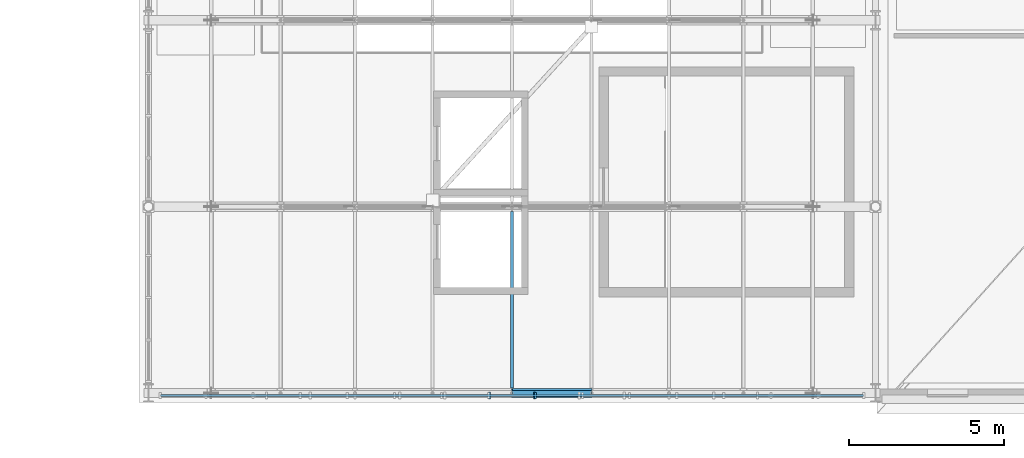
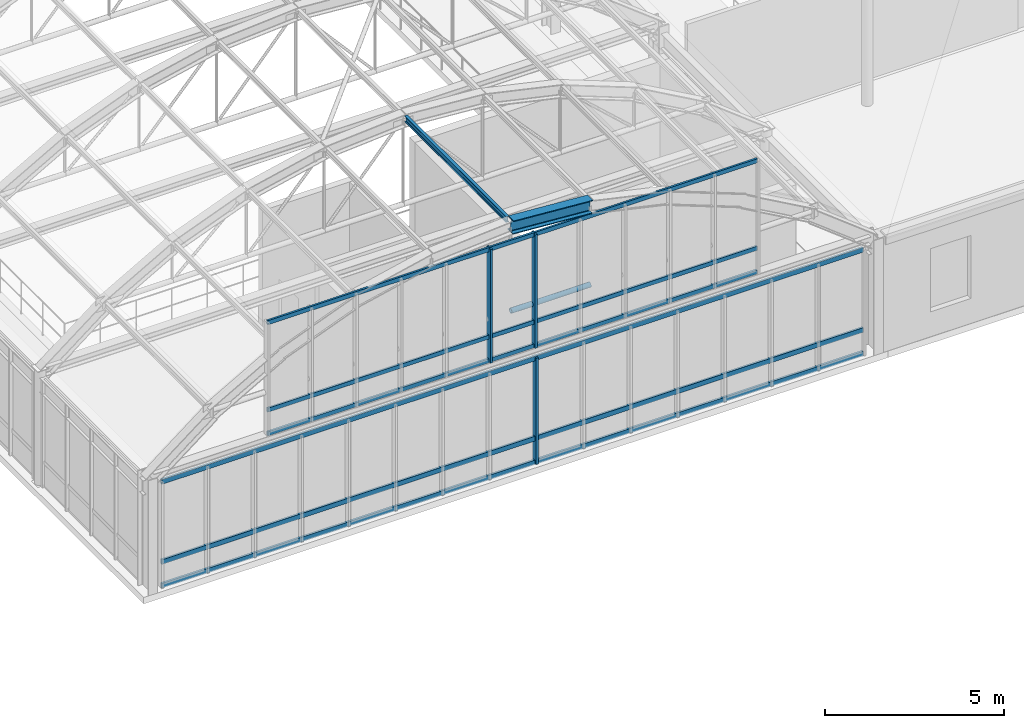
# One storey, part 33 of 148: 10 members, 2 beams, 2 elements without a shape of their own.
"""IFC4 building model written with IfcOpenShell, lengths in metres."""

from ifc_helpers import new_model, si_unit, direction, frame, origin, origin_2d, place, context, subcontext, project, spatial, rectangle, hollow_circle, i_section, extrude, material, layer, layer_set, material_profile, profile_set, type_object, element, aggregate, save


model = new_model("IFC4")

# Units and contexts
model_context = context("Model", 3, precision=1e-05, world=origin(), true_north=direction((0.0, 1.0)))
body_context = subcontext(model_context, "Body", "Model", "MODEL_VIEW")
ifc_project = project(units=[si_unit("LENGTHUNIT", "METRE"), si_unit("AREAUNIT", "SQUARE_METRE"), si_unit("VOLUMEUNIT", "CUBIC_METRE"), si_unit("PLANEANGLEUNIT", "RADIAN"), si_unit("MASSUNIT", "GRAM", prefix="KILO"), si_unit("THERMODYNAMICTEMPERATUREUNIT", "KELVIN"), si_unit("POWERUNIT", "WATT")], contexts=[model_context])

# Site, building, storey
site_placement = place(None, origin())
site = spatial("IfcSite", under=ifc_project, at=site_placement, CompositionType="ELEMENT")
building_placement = place(site_placement, origin())
building = spatial("IfcBuilding", under=site, at=building_placement, Name="Solvatero Civic Police Headquarters", CompositionType="ELEMENT")
storey_placement = place(building_placement, frame((0.0, 0.0, 5.10009765625)))
storey = spatial("IfcBuildingStorey", under=building, at=storey_placement, Name="L01", CompositionType="ELEMENT", Elevation=5.10009765625)

# Beams
ifc_material_1 = material(Name="Steel S355", Category="steel")
ifc_material_profile_1 = material_profile(ifc_material_1, i_section(OverallWidth=0.300048828125, OverallDepth=0.449951171875, WebThickness=0.013916015625, FlangeThickness=0.02587890625, FilletRadius=0.027099609375, at=origin_2d()), Name="HEB 450")
ifc_profile_set_1 = profile_set([ifc_material_profile_1], Name="Steel S355")
beam_type_1 = type_object("IfcBeamType", Name="BM-ST-HEB450", PredefinedType="BEAM", material=ifc_profile_set_1)
beam_1_placement = place(storey_placement, frame((110.5, 4.800048828125, 8.31396484375), z_axis=(0.997304549883, 0.0, -0.073373256584), x_axis=(0.0, 1.0, 0.0)))
element("IfcBeam", 1, at=beam_1_placement, inside=storey, type_object=beam_type_1, Name="VLT1 Tied-Arch Vault Top Chord F1.6", PredefinedType="BEAM", context=body_context, shape_type="SweptSolid", body=[
    extrude(i_section(OverallWidth=0.300048828125, OverallDepth=0.449951171875, WebThickness=0.013916015625, FlangeThickness=0.02587890625, FilletRadius=0.027099609375, at=origin_2d()), origin(), (0.0, 0.0, 1.0), 2.56201171875),
])
ifc_material_profile_2 = material_profile(ifc_material_1, i_section(OverallWidth=0.10009765625, OverallDepth=0.199951171875, WebThickness=0.005615234375, FlangeThickness=0.008544921875, FilletRadius=0.011962890625, at=origin_2d()), Name="IPE 200")
ifc_profile_set_2 = profile_set([ifc_material_profile_2], Name="Steel S355")
beam_type_2 = type_object("IfcBeamType", Name="BM-ST-IPE200", PredefinedType="JOIST", material=ifc_profile_set_2)
beam_2_placement = place(storey_placement, frame((110.5, 4.9580078125, 8.41455078125), z_axis=(0.0, 1.0, 0.0), x_axis=(-1.0, 0.0, 0.0)))
element("IfcBeam", 2, at=beam_2_placement, inside=storey, type_object=beam_type_2, Name="VLT1 Vault Roof Purlin B1.5", PredefinedType="JOIST", context=body_context, shape_type="SweptSolid", body=[
    extrude(i_section(OverallWidth=0.10009765625, OverallDepth=0.199951171875, WebThickness=0.005615234375, FlangeThickness=0.008544921875, FilletRadius=0.011962890625, at=origin_2d()), origin(), (0.0, 0.0, 1.0), 5.68408203125),
])

# Curtain wall, member
ifc_material_2 = material(Name="Anodized Bronze Aluminium", Category="aluminium")
ifc_layer_1 = layer(ifc_material_2, 0.179931640625)
ifc_layer_set_1 = layer_set([ifc_layer_1], Name="Anodized Bronze Aluminium")
curtain_wall_type_1 = type_object("IfcCurtainWallType", Name="CW-HAL-GLZ", PredefinedType="USERDEFINED", material=ifc_layer_set_1)
curtain_wall_1_placement = place(storey_placement, origin())
curtain_wall_1 = element("IfcCurtainWall", 3, at=curtain_wall_1_placement, inside=storey, type_object=curtain_wall_type_1, Name="Curtain Wall CW-R2-L01-V1-S", ObjectType="UNITISED", PredefinedType="USERDEFINED")
ifc_material_profile_3 = material_profile(ifc_material_2, rectangle(XDim=0.070068359375, YDim=0.199951171875, at=origin_2d()), Name="ALU MULLION 70x200")
ifc_profile_set_3 = profile_set([ifc_material_profile_3], Name="Anodized Bronze Aluminium")
member_type_1 = type_object("IfcMemberType", Name="CWM-220x80", PredefinedType="MULLION", material=ifc_profile_set_3)
member_1_placement = place(storey_placement, frame((111.25732421875, 4.719970703125, 0.0), z_axis=(0.0, 0.0, 1.0), x_axis=(1.0, 0.0, 0.0)))
member_1 = element("IfcMember", 4, at=member_1_placement, type_object=member_type_1, Name="CW-R2-L01-V1-S Mullion 9", PredefinedType="MULLION", context=body_context, shape_type="SweptSolid", body=[
    extrude(rectangle(XDim=0.070068359375, YDim=0.199951171875, at=origin_2d()), origin(), (0.0, 0.0, 1.0), 3.619873046875),
])

# Curtain wall, members
ifc_layer_2 = layer(ifc_material_2, 0.179931640625)
ifc_layer_set_2 = layer_set([ifc_layer_2], Name="Anodized Bronze Aluminium")
curtain_wall_type_2 = type_object("IfcCurtainWallType", Name="CW-VLT-TYMP", PredefinedType="USERDEFINED", material=ifc_layer_set_2)
curtain_wall_2_placement = place(storey_placement, origin())
curtain_wall_2 = element("IfcCurtainWall", 5, at=curtain_wall_2_placement, inside=storey, type_object=curtain_wall_type_2, Name="Curtain Wall CW-R2-L01-VLT1-S", ObjectType="UNITISED", PredefinedType="USERDEFINED")
ifc_material_profile_4 = material_profile(ifc_material_2, rectangle(XDim=0.074951171875, YDim=0.219970703125, at=origin_2d()), Name="ALU MULLION 75x220")
ifc_profile_set_4 = profile_set([ifc_material_profile_4], Name="Anodized Bronze Aluminium")
member_type_2 = type_object("IfcMemberType", Name="CWM-250x85", PredefinedType="MULLION", material=ifc_profile_set_4)
member_2_placement = place(storey_placement, frame((109.7783203125, 4.719970703125, 3.97998046875), z_axis=(0.0, 0.0, 1.0), x_axis=(1.0, 0.0, 0.0)))
member_2 = element("IfcMember", 6, at=member_2_placement, type_object=member_type_2, Name="CW-R2-L01-VLT1-S Mullion 6", PredefinedType="MULLION", context=body_context, shape_type="SweptSolid", body=[
    extrude(rectangle(XDim=0.074951171875, YDim=0.219970703125, at=origin_2d()), origin(), (0.0, 0.0, 1.0), 3.869873046875),
])
member_3_placement = place(storey_placement, frame((111.2216796875, 4.719970703125, 3.97998046875), z_axis=(0.0, 0.0, 1.0), x_axis=(1.0, 0.0, 0.0)))
member_3 = element("IfcMember", 7, at=member_3_placement, type_object=member_type_2, Name="CW-R2-L01-VLT1-S Mullion 7", PredefinedType="MULLION", context=body_context, shape_type="SweptSolid", body=[
    extrude(rectangle(XDim=0.074951171875, YDim=0.219970703125, at=origin_2d()), origin(), (0.0, 0.0, 1.0), 3.869873046875),
])

# Member
ifc_material_profile_5 = material_profile(ifc_material_2, rectangle(XDim=0.070068359375, YDim=0.159912109375, at=origin_2d()), Name="ALU TRANSOM 70x160")
ifc_profile_set_5 = profile_set([ifc_material_profile_5], Name="Anodized Bronze Aluminium")
member_type_3 = type_object("IfcMemberType", Name="CWT-120x55", PredefinedType="USERDEFINED", material=ifc_profile_set_5)
member_4_placement = place(storey_placement, frame((99.18994140625, 4.719970703125, 0.039794921875), z_axis=(1.0, 0.0, 0.0), x_axis=(0.0, 1.0, 0.0)))
member_4 = element("IfcMember", 8, at=member_4_placement, type_object=member_type_3, Name="CW-R2-L01-V1-S Transom 1", ObjectType="TRANSOM", PredefinedType="USERDEFINED", context=body_context, shape_type="SweptSolid", body=[
    extrude(rectangle(XDim=0.070068359375, YDim=0.159912109375, at=origin_2d()), origin(), (0.0, 0.0, 1.0), 22.6201171875),
])

member_5_placement = place(storey_placement, frame((99.18994140625, 4.719970703125, 0.849853515625), z_axis=(1.0, 0.0, 0.0), x_axis=(0.0, 1.0, 0.0)))
member_5 = element("IfcMember", 9, at=member_5_placement, type_object=member_type_3, Name="CW-R2-L01-V1-S Transom 2", ObjectType="TRANSOM", PredefinedType="USERDEFINED", context=body_context, shape_type="SweptSolid", body=[
    extrude(rectangle(XDim=0.070068359375, YDim=0.159912109375, at=origin_2d()), origin(), (0.0, 0.0, 1.0), 22.6201171875),
])

member_6_placement = place(storey_placement, frame((99.18994140625, 4.719970703125, 3.579833984375), z_axis=(1.0, 0.0, 0.0), x_axis=(0.0, 1.0, 0.0)))
member_6 = element("IfcMember", 10, at=member_6_placement, type_object=member_type_3, Name="CW-R2-L01-V1-S Transom 3", ObjectType="TRANSOM", PredefinedType="USERDEFINED", context=body_context, shape_type="SweptSolid", body=[
    extrude(rectangle(XDim=0.070068359375, YDim=0.159912109375, at=origin_2d()), origin(), (0.0, 0.0, 1.0), 22.6201171875),
])

aggregate(curtain_wall_1, [member_1, member_4, member_5, member_6])

ifc_material_profile_6 = material_profile(ifc_material_2, rectangle(XDim=0.06494140625, YDim=0.139892578125, at=origin_2d()), Name="ALU TRANSOM 65x140")
ifc_profile_set_6 = profile_set([ifc_material_profile_6], Name="Anodized Bronze Aluminium")
member_type_4 = type_object("IfcMemberType", Name="CWT-180x70", PredefinedType="USERDEFINED", material=ifc_profile_set_6)
member_7_placement = place(storey_placement, frame((102.610107421875, 4.719970703125, 4.02001953125), z_axis=(1.0, 0.0, 0.0), x_axis=(0.0, 1.0, 0.0)))
member_7 = element("IfcMember", 11, at=member_7_placement, type_object=member_type_4, Name="CW-R2-L01-VLT1-S Transom 1", ObjectType="TRANSOM", PredefinedType="USERDEFINED", context=body_context, shape_type="SweptSolid", body=[
    extrude(rectangle(XDim=0.06494140625, YDim=0.139892578125, at=origin_2d()), origin(), (0.0, 0.0, 1.0), 15.77978515625),
])

member_8_placement = place(storey_placement, frame((102.610107421875, 4.719970703125, 4.829833984375), z_axis=(1.0, 0.0, 0.0), x_axis=(0.0, 1.0, 0.0)))
member_8 = element("IfcMember", 12, at=member_8_placement, type_object=member_type_4, Name="CW-R2-L01-VLT1-S Transom 2", ObjectType="TRANSOM", PredefinedType="USERDEFINED", context=body_context, shape_type="SweptSolid", body=[
    extrude(rectangle(XDim=0.06494140625, YDim=0.139892578125, at=origin_2d()), origin(), (0.0, 0.0, 1.0), 15.77978515625),
])

member_9_placement = place(storey_placement, frame((102.610107421875, 4.719970703125, 7.809814453125), z_axis=(1.0, 0.0, 0.0), x_axis=(0.0, 1.0, 0.0)))
member_9 = element("IfcMember", 13, at=member_9_placement, type_object=member_type_4, Name="CW-R2-L01-VLT1-S Transom 3", ObjectType="TRANSOM", PredefinedType="USERDEFINED", context=body_context, shape_type="SweptSolid", body=[
    extrude(rectangle(XDim=0.06494140625, YDim=0.139892578125, at=origin_2d()), origin(), (0.0, 0.0, 1.0), 15.77978515625),
])

aggregate(curtain_wall_2, [member_2, member_3, member_7, member_8, member_9])

ifc_material_profile_7 = material_profile(ifc_material_1, hollow_circle(Radius=0.084228515625, WallThickness=0.010009765625, at=origin_2d()), Name="CHS 168.3x10.0")
ifc_profile_set_7 = profile_set([ifc_material_profile_7], Name="Steel S355")
member_type_5 = type_object("IfcMemberType", Name="MB-TIE-CHS168", PredefinedType="CHORD", material=ifc_profile_set_7)
member_10_placement = place(storey_placement, frame((110.5, 4.800048828125, 5.3916015625), z_axis=(1.0, 0.0, 0.0), x_axis=(0.0, 1.0, 0.0)))
element("IfcMember", 14, at=member_10_placement, inside=storey, type_object=member_type_5, Name="VLT1 Vault Horizontal Tie Chord F1.5", PredefinedType="CHORD", context=body_context, shape_type="SweptSolid", body=[
    extrude(hollow_circle(Radius=0.084228515625, WallThickness=0.010009765625, at=origin_2d()), origin(), (0.0, 0.0, 1.0), 2.55517578125),
])

save(model, "model.ifc")
